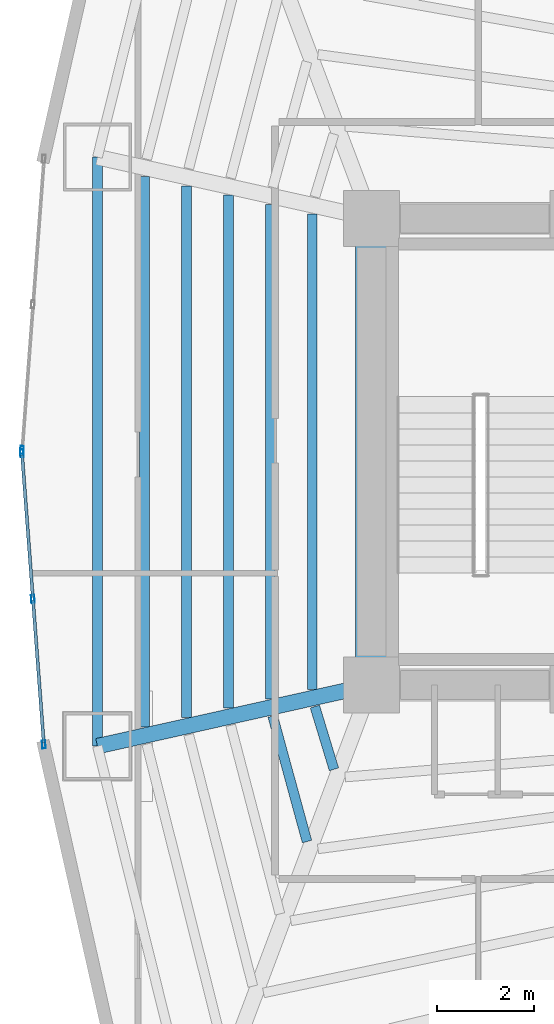
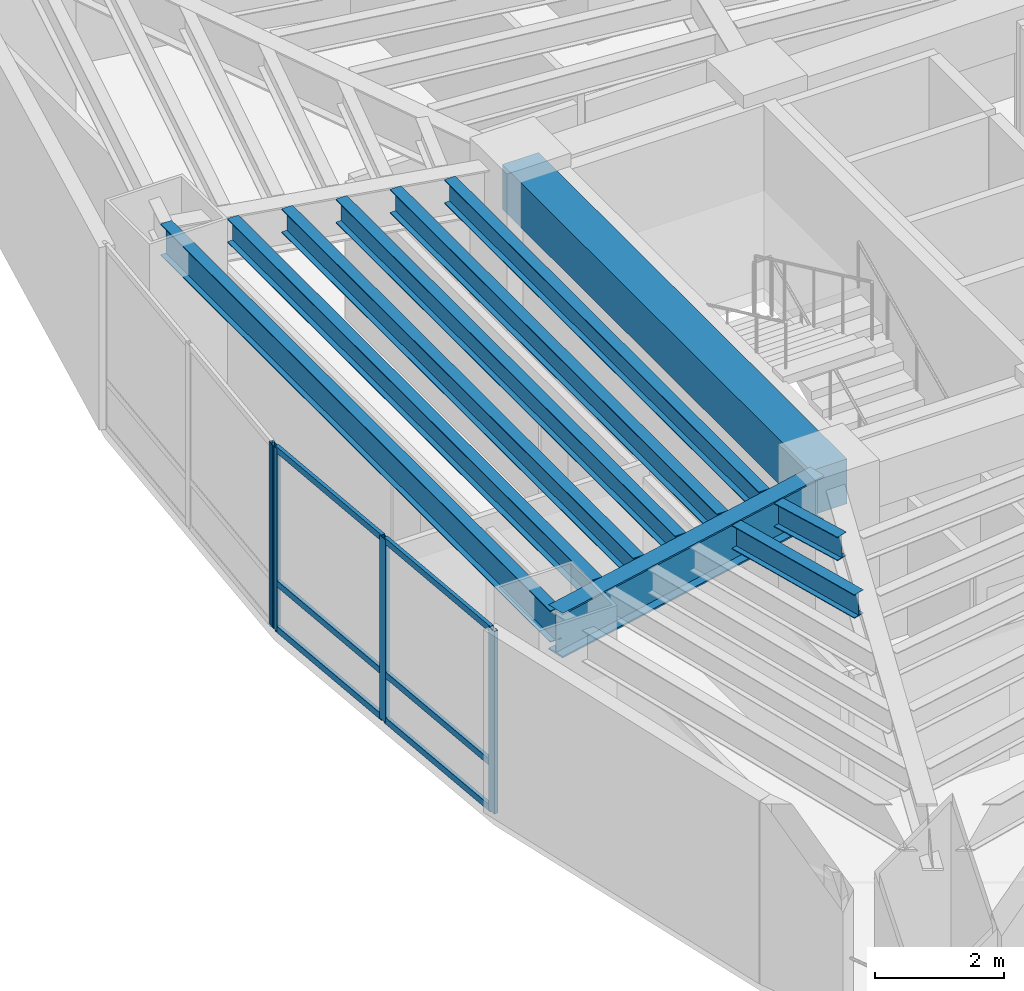
# One storey, part 3 of 17: 10 beams, 10 members, 2 elements without a shape of their own.
"""IFC4 building model written with IfcOpenShell, lengths in metres."""

from ifc_helpers import new_model, si_unit, direction, frame, origin, origin_2d, place, context, subcontext, project, spatial, rectangle, hollow_rectangle, i_section, extrude, material, layer, layer_set, material_profile, profile_set, type_object, element, aggregate, save


model = new_model("IFC4")

# Units and contexts
model_context = context("Model", 3, precision=1e-05, world=origin(), true_north=direction((0.0, 1.0)))
body_context = subcontext(model_context, "Body", "Model", "MODEL_VIEW")
ifc_project = project(units=[si_unit("LENGTHUNIT", "METRE"), si_unit("AREAUNIT", "SQUARE_METRE"), si_unit("VOLUMEUNIT", "CUBIC_METRE"), si_unit("PLANEANGLEUNIT", "RADIAN"), si_unit("MASSUNIT", "GRAM", prefix="KILO")], contexts=[model_context])

# Site, building, storey
site_placement = place(None, origin())
site = spatial("IfcSite", under=ifc_project, at=site_placement, CompositionType="ELEMENT")
building_placement = place(site_placement, origin())
building = spatial("IfcBuilding", under=site, at=building_placement, Name="Menara Vayukalpa", CompositionType="ELEMENT")
storey_placement = place(building_placement, frame((0.0, 0.0, 46.199951171875)))
storey = spatial("IfcBuildingStorey", under=building, at=storey_placement, Name="L10", CompositionType="ELEMENT", Elevation=46.199951171875)

# Beams
ifc_material_1 = material(Name="Concrete C60/75", Category="concrete")
ifc_material_profile_1 = material_profile(ifc_material_1, rectangle(XDim=0.64990234375, YDim=0.85009765625, at=origin_2d()), Name="RC 650x850")
ifc_profile_set_1 = profile_set([ifc_material_profile_1], Name="Concrete C60/75")
beam_type_1 = type_object("IfcBeamType", Name="BM-CB1", PredefinedType="BEAM", material=ifc_profile_set_1)
beam_1_placement = place(storey_placement, frame((17.800048828125, 17.199951171875, 3.045166015625), z_axis=(0.0, 1.0, 0.0), x_axis=(-1.0, 0.0, 0.0)))
element("IfcBeam", 1, at=beam_1_placement, inside=storey, type_object=beam_type_1, Name="L10 Core Tie Beam CBR7", PredefinedType="BEAM", context=body_context, shape_type="SweptSolid", body=[
    extrude(rectangle(XDim=0.64990234375, YDim=0.85009765625, at=origin_2d()), origin(), (0.0, 0.0, 1.0), 9.60009765625),
])
ifc_material_2 = material(Name="Steel S355", Category="steel")
ifc_material_profile_2 = material_profile(ifc_material_2, i_section(OverallWidth=0.320068359375, OverallDepth=0.85009765625, WebThickness=0.01611328125, FlangeThickness=0.030029296875, at=origin_2d()), Name="WF 850x320x16x30")
ifc_profile_set_2 = profile_set([ifc_material_profile_2], Name="Steel S355")
beam_type_2 = type_object("IfcBeamType", Name="BM-PG2", PredefinedType="BEAM", material=ifc_profile_set_2)
beam_2_placement = place(storey_placement, frame((17.555908203125, 17.1455078125, 3.045166015625), z_axis=(-0.975920137818, -0.218128138031, 0.0), x_axis=(0.218128138031, -0.975920137818, 0.0)))
element("IfcBeam", 2, at=beam_2_placement, inside=storey, type_object=beam_type_2, Name="L10 Primary Radial Girder RG06", PredefinedType="BEAM", context=body_context, shape_type="SweptSolid", body=[
    extrude(i_section(OverallWidth=0.320068359375, OverallDepth=0.85009765625, WebThickness=0.01611328125, FlangeThickness=0.030029296875, at=origin_2d()), origin(), (0.0, 0.0, 1.0), 5.524658203125),
])
ifc_material_3 = material(Name="Steel S355", Category="steel")
ifc_material_profile_3 = material_profile(ifc_material_3, i_section(OverallWidth=0.199951171875, OverallDepth=0.449951171875, WebThickness=0.009033203125, FlangeThickness=0.013916015625, at=origin_2d()), Name="WF 450x200x9x14")
ifc_profile_set_3 = profile_set([ifc_material_profile_3], Name="Steel S355")
beam_type_3 = type_object("IfcBeamType", Name="BM-SJ1", PredefinedType="JOIST", material=ifc_profile_set_3)
beam_3_placement = place(storey_placement, frame((16.58544921875, 26.891357421875, 3.2451171875), z_axis=(0.0, -1.0, 0.0), x_axis=(1.0, 0.0, 0.0)))
element("IfcBeam", 3, at=beam_3_placement, inside=storey, type_object=beam_type_3, Name="L10 Secondary Floor Joist SJ05-1", PredefinedType="JOIST", context=body_context, shape_type="SweptSolid", body=[
    extrude(i_section(OverallWidth=0.199951171875, OverallDepth=0.449951171875, WebThickness=0.009033203125, FlangeThickness=0.013916015625, at=origin_2d()), origin(), (0.0, 0.0, 1.0), 9.78271484375),
])
beam_4_placement = place(storey_placement, frame((15.722900390625, 27.084228515625, 3.2451171875), z_axis=(0.0, -1.0, 0.0), x_axis=(1.0, 0.0, 0.0)))
element("IfcBeam", 4, at=beam_4_placement, inside=storey, type_object=beam_type_3, Name="L10 Secondary Floor Joist SJ05-2", PredefinedType="JOIST", context=body_context, shape_type="SweptSolid", body=[
    extrude(i_section(OverallWidth=0.199951171875, OverallDepth=0.449951171875, WebThickness=0.009033203125, FlangeThickness=0.013916015625, at=origin_2d()), origin(), (0.0, 0.0, 1.0), 10.16845703125),
])
beam_5_placement = place(storey_placement, frame((14.860107421875, 27.277099609375, 3.2451171875), z_axis=(0.0, -1.0, 0.0), x_axis=(1.0, 0.0, 0.0)))
element("IfcBeam", 5, at=beam_5_placement, inside=storey, type_object=beam_type_3, Name="L10 Secondary Floor Joist SJ05-3", PredefinedType="JOIST", context=body_context, shape_type="SweptSolid", body=[
    extrude(i_section(OverallWidth=0.199951171875, OverallDepth=0.449951171875, WebThickness=0.009033203125, FlangeThickness=0.013916015625, at=origin_2d()), origin(), (0.0, 0.0, 1.0), 10.55419921875),
])
beam_6_placement = place(storey_placement, frame((13.997314453125, 27.469970703125, 3.2451171875), z_axis=(0.0, -1.0, 0.0), x_axis=(1.0, 0.0, 0.0)))
element("IfcBeam", 6, at=beam_6_placement, inside=storey, type_object=beam_type_3, Name="L10 Secondary Floor Joist SJ05-4", PredefinedType="JOIST", context=body_context, shape_type="SweptSolid", body=[
    extrude(i_section(OverallWidth=0.199951171875, OverallDepth=0.449951171875, WebThickness=0.009033203125, FlangeThickness=0.013916015625, at=origin_2d()), origin(), (0.0, 0.0, 1.0), 10.93994140625),
])
beam_7_placement = place(storey_placement, frame((13.134765625, 27.66259765625, 3.2451171875), z_axis=(0.0, -1.0, 0.0), x_axis=(1.0, 0.0, 0.0)))
element("IfcBeam", 7, at=beam_7_placement, inside=storey, type_object=beam_type_3, Name="L10 Secondary Floor Joist SJ05-5", PredefinedType="JOIST", context=body_context, shape_type="SweptSolid", body=[
    extrude(i_section(OverallWidth=0.199951171875, OverallDepth=0.449951171875, WebThickness=0.009033203125, FlangeThickness=0.013916015625, at=origin_2d()), origin(), (0.0, 0.0, 1.0), 11.3251953125),
])
beam_8_placement = place(storey_placement, frame((16.6376953125, 16.75634765625, 3.2451171875), z_axis=(0.291010568606, -0.956719838281, 0.0), x_axis=(0.956719838281, 0.291010568606, 0.0)))
element("IfcBeam", 8, at=beam_8_placement, inside=storey, type_object=beam_type_3, Name="L10 Secondary Floor Joist SJ06-1", PredefinedType="JOIST", context=body_context, shape_type="SweptSolid", body=[
    extrude(i_section(OverallWidth=0.199951171875, OverallDepth=0.449951171875, WebThickness=0.009033203125, FlangeThickness=0.013916015625, at=origin_2d()), origin(), (0.0, 0.0, 1.0), 1.3505859375),
])
beam_9_placement = place(storey_placement, frame((15.770263671875, 16.56201171875, 3.2451171875), z_axis=(0.263618546233, -0.964627006714, 0.0), x_axis=(0.964627006714, 0.263618546233, 0.0)))
element("IfcBeam", 9, at=beam_9_placement, inside=storey, type_object=beam_type_3, Name="L10 Secondary Floor Joist SJ06-2", PredefinedType="JOIST", context=body_context, shape_type="SweptSolid", body=[
    extrude(i_section(OverallWidth=0.199951171875, OverallDepth=0.449951171875, WebThickness=0.009033203125, FlangeThickness=0.013916015625, at=origin_2d()), origin(), (0.0, 0.0, 1.0), 2.67919921875),
])
ifc_material_4 = material(Name="Steel S355", Category="steel")
ifc_material_profile_4 = material_profile(ifc_material_4, i_section(OverallWidth=0.199951171875, OverallDepth=0.60009765625, WebThickness=0.010986328125, FlangeThickness=0.01708984375, at=origin_2d()), Name="WF 600x200x11x17")
ifc_profile_set_4 = profile_set([ifc_material_profile_4], Name="Steel S355")
beam_type_4 = type_object("IfcBeamType", Name="BM-SP1", PredefinedType="SPANDREL", material=ifc_profile_set_4)
beam_10_placement = place(storey_placement, frame((12.164306640625, 28.0595703125, 3.170166015625), z_axis=(0.0, -1.0, 0.0), x_axis=(1.0, 0.0, 0.0)))
element("IfcBeam", 10, at=beam_10_placement, inside=storey, type_object=beam_type_4, Name="L10 Perimeter Spandrel Beam SP05", PredefinedType="SPANDREL", context=body_context, shape_type="SweptSolid", body=[
    extrude(i_section(OverallWidth=0.199951171875, OverallDepth=0.60009765625, WebThickness=0.010986328125, FlangeThickness=0.01708984375, at=origin_2d()), origin(), (0.0, 0.0, 1.0), 12.119140625),
])

# Curtain wall, member
ifc_material_5 = material(Name="Anodised Terracotta Aluminium Alloy 6063-T6", Category="masonry")
ifc_layer = layer(ifc_material_5, 0.1650390625)
ifc_layer_set = layer_set([ifc_layer], Name="Anodised Terracotta Aluminium Alloy 6063-T6")
curtain_wall_type = type_object("IfcCurtainWallType", Name="CW-CW2", PredefinedType="USERDEFINED", material=ifc_layer_set)
curtain_wall_1_placement = place(storey_placement, origin())
curtain_wall_1 = element("IfcCurtainWall", 11, at=curtain_wall_1_placement, inside=storey, type_object=curtain_wall_type, Name="L10 Low Rise Terracotta Ribbon Curtain Wall CW2 10", ObjectType="UNITISED", PredefinedType="USERDEFINED")
ifc_material_6 = material(Name="Anodised Terracotta Aluminium Alloy 6063-T6", Category="masonry")
ifc_material_profile_5 = material_profile(ifc_material_6, hollow_rectangle(XDim=0.070068359375, YDim=0.1650390625, WallThickness=0.00390625, at=origin_2d()), Name="ALU 70x165x4")
ifc_profile_set_5 = profile_set([ifc_material_profile_5], Name="Anodised Terracotta Aluminium Alloy 6063-T6")
member_type_1 = type_object("IfcMemberType", Name="CWM-CW2", PredefinedType="MULLION", material=ifc_profile_set_5)
member_1_placement = place(storey_placement, frame((10.6123046875, 22.034912109375, 0.0), z_axis=(0.0, 0.0, 1.0), x_axis=(0.997198941676, -0.074794857576, 0.0)))
member_1 = element("IfcMember", 12, at=member_1_placement, type_object=member_type_1, Name="CW2 mullion 3", PredefinedType="MULLION", context=body_context, shape_type="SweptSolid", body=[
    extrude(hollow_rectangle(XDim=0.070068359375, YDim=0.1650390625, WallThickness=0.00390625, at=origin_2d()), origin(), (0.0, 0.0, 1.0), 3.469970703125),
])
aggregate(curtain_wall_1, [member_1])

# Curtain wall, members
curtain_wall_2_placement = place(storey_placement, origin())
curtain_wall_2 = element("IfcCurtainWall", 13, at=curtain_wall_2_placement, inside=storey, type_object=curtain_wall_type, Name="L10 Low Rise Terracotta Ribbon Curtain Wall CW2 11", ObjectType="UNITISED", PredefinedType="USERDEFINED")
member_2_placement = place(storey_placement, frame((10.6123046875, 21.965087890625, 0.0), z_axis=(0.0, 0.0, 1.0), x_axis=(0.997198941676, 0.074794857576, 0.0)))
member_2 = element("IfcMember", 14, at=member_2_placement, type_object=member_type_1, Name="CW2 mullion 1", PredefinedType="MULLION", context=body_context, shape_type="SweptSolid", body=[
    extrude(hollow_rectangle(XDim=0.070068359375, YDim=0.1650390625, WallThickness=0.00390625, at=origin_2d()), origin(), (0.0, 0.0, 1.0), 3.469970703125),
])
member_3_placement = place(storey_placement, frame((10.8369140625, 18.97021484375, 0.0), z_axis=(0.0, 0.0, 1.0), x_axis=(0.997198941676, 0.074794857576, 0.0)))
member_3 = element("IfcMember", 15, at=member_3_placement, type_object=member_type_1, Name="CW2 mullion 2", PredefinedType="MULLION", context=body_context, shape_type="SweptSolid", body=[
    extrude(hollow_rectangle(XDim=0.070068359375, YDim=0.1650390625, WallThickness=0.00390625, at=origin_2d()), origin(), (0.0, 0.0, 1.0), 3.469970703125),
])
member_4_placement = place(storey_placement, frame((11.0615234375, 15.975341796875, 0.0), z_axis=(0.0, 0.0, 1.0), x_axis=(0.997198941676, 0.074794857576, 0.0)))
member_4 = element("IfcMember", 16, at=member_4_placement, type_object=member_type_1, Name="CW2 mullion 3", PredefinedType="MULLION", context=body_context, shape_type="SweptSolid", body=[
    extrude(hollow_rectangle(XDim=0.070068359375, YDim=0.1650390625, WallThickness=0.00390625, at=origin_2d()), origin(), (0.0, 0.0, 1.0), 3.469970703125),
])
ifc_material_7 = material(Name="Anodised Terracotta Aluminium Alloy 6063-T6", Category="masonry")
ifc_material_profile_6 = material_profile(ifc_material_7, hollow_rectangle(XDim=0.06494140625, YDim=0.1201171875, WallThickness=0.00341796875, at=origin_2d()), Name="ALU 65x120x3.5")
ifc_profile_set_6 = profile_set([ifc_material_profile_6], Name="Anodised Terracotta Aluminium Alloy 6063-T6")
member_type_2 = type_object("IfcMemberType", Name="CWT-CW2", PredefinedType="USERDEFINED", material=ifc_profile_set_6)
member_5_placement = place(storey_placement, frame((10.614990234375, 21.93017578125, 0.032470703125), z_axis=(0.074742357441, -0.997202878057, 0.0), x_axis=(0.997202878057, 0.074742357441, 0.0)))
member_5 = element("IfcMember", 17, at=member_5_placement, type_object=member_type_2, Name="CW2 transom 1.1", ObjectType="TRANSOM", PredefinedType="USERDEFINED", context=body_context, shape_type="SweptSolid", body=[
    extrude(hollow_rectangle(XDim=0.06494140625, YDim=0.1201171875, WallThickness=0.00341796875, at=origin_2d()), origin(), (0.0, 0.0, 1.0), 2.933349609375),
])
member_6_placement = place(storey_placement, frame((10.614990234375, 21.93017578125, 0.900146484375), z_axis=(0.074742357441, -0.997202878057, 0.0), x_axis=(0.997202878057, 0.074742357441, 0.0)))
member_6 = element("IfcMember", 18, at=member_6_placement, type_object=member_type_2, Name="CW2 transom 1.2", ObjectType="TRANSOM", PredefinedType="USERDEFINED", context=body_context, shape_type="SweptSolid", body=[
    extrude(hollow_rectangle(XDim=0.06494140625, YDim=0.1201171875, WallThickness=0.00341796875, at=origin_2d()), origin(), (0.0, 0.0, 1.0), 2.933349609375),
])
member_7_placement = place(storey_placement, frame((10.614990234375, 21.93017578125, 3.4375), z_axis=(0.074742357441, -0.997202878057, 0.0), x_axis=(0.997202878057, 0.074742357441, 0.0)))
member_7 = element("IfcMember", 19, at=member_7_placement, type_object=member_type_2, Name="CW2 transom 1.3", ObjectType="TRANSOM", PredefinedType="USERDEFINED", context=body_context, shape_type="SweptSolid", body=[
    extrude(hollow_rectangle(XDim=0.06494140625, YDim=0.1201171875, WallThickness=0.00341796875, at=origin_2d()), origin(), (0.0, 0.0, 1.0), 2.933349609375),
])
member_8_placement = place(storey_placement, frame((10.839599609375, 18.935302734375, 0.032470703125), z_axis=(0.074825123723, -0.997196671103, 0.0), x_axis=(0.997196671103, 0.074825123723, 0.0)))
member_8 = element("IfcMember", 20, at=member_8_placement, type_object=member_type_2, Name="CW2 transom 2.1", ObjectType="TRANSOM", PredefinedType="USERDEFINED", context=body_context, shape_type="SweptSolid", body=[
    extrude(hollow_rectangle(XDim=0.06494140625, YDim=0.1201171875, WallThickness=0.00341796875, at=origin_2d()), origin(), (0.0, 0.0, 1.0), 2.933349609375),
])
member_9_placement = place(storey_placement, frame((10.839599609375, 18.935302734375, 0.900146484375), z_axis=(0.074825123723, -0.997196671103, 0.0), x_axis=(0.997196671103, 0.074825123723, 0.0)))
member_9 = element("IfcMember", 21, at=member_9_placement, type_object=member_type_2, Name="CW2 transom 2.2", ObjectType="TRANSOM", PredefinedType="USERDEFINED", context=body_context, shape_type="SweptSolid", body=[
    extrude(hollow_rectangle(XDim=0.06494140625, YDim=0.1201171875, WallThickness=0.00341796875, at=origin_2d()), origin(), (0.0, 0.0, 1.0), 2.933349609375),
])
member_10_placement = place(storey_placement, frame((10.839599609375, 18.935302734375, 3.4375), z_axis=(0.074825123723, -0.997196671103, 0.0), x_axis=(0.997196671103, 0.074825123723, 0.0)))
member_10 = element("IfcMember", 22, at=member_10_placement, type_object=member_type_2, Name="CW2 transom 2.3", ObjectType="TRANSOM", PredefinedType="USERDEFINED", context=body_context, shape_type="SweptSolid", body=[
    extrude(hollow_rectangle(XDim=0.06494140625, YDim=0.1201171875, WallThickness=0.00341796875, at=origin_2d()), origin(), (0.0, 0.0, 1.0), 2.933349609375),
])
aggregate(curtain_wall_2, [member_2, member_3, member_4, member_5, member_6, member_7, member_8, member_9, member_10])

save(model, "model.ifc")
